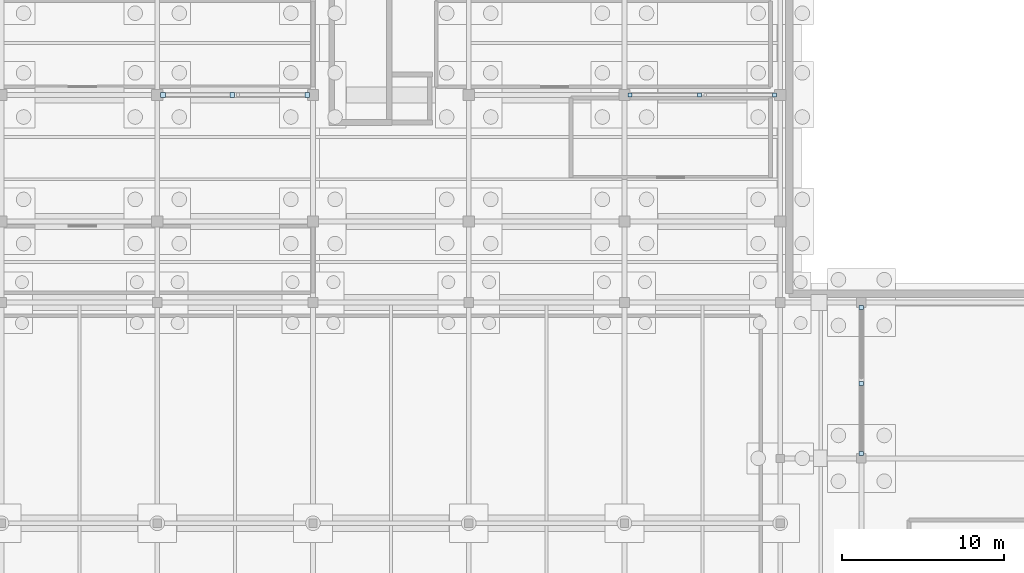
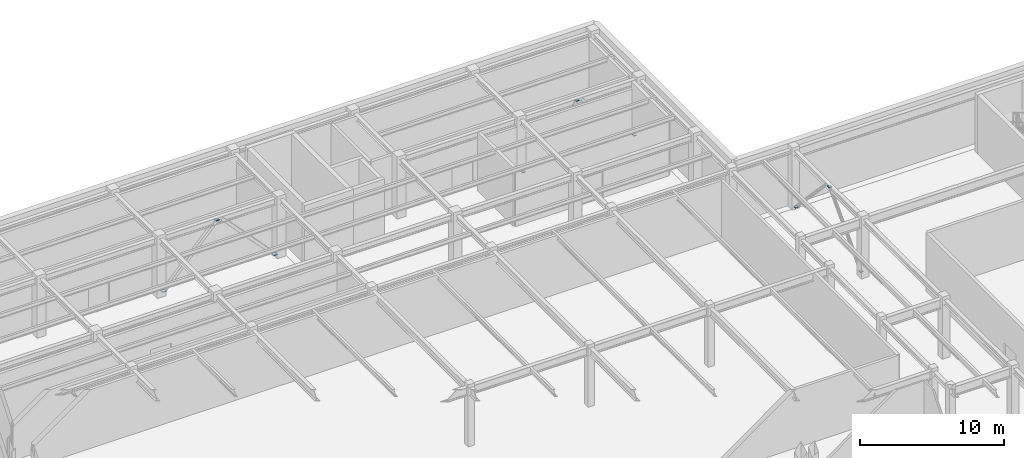
# One storey, part 21 of 33: 9 plates.
"""IFC4 building model written with IfcOpenShell, lengths in metres."""

import ifcopenshell
import ifcopenshell.guid

model = None  # the IFC model being written
_history = None  # IfcOwnerHistory: only IFC2X3 demands one
_inside = {}  # id of a spatial element -> (the spatial element, [elements in it])
_under = {}  # id of a project, library or spatial element -> (it, [spatial elements below it])
_declared = {}  # id of a project -> (the project, [libraries it declares])
_typed = {}  # id of a type object -> (the type object, [elements of that type])
_made_of = {}  # id of a material, layer set ... -> (it, [elements and type objects made of it])


def new_model(schema):
    """Start an empty IFC model of exactly this schema.

    Asked for "IFC4X3", IfcOpenShell would pick the latest addendum, in which some entities
    have other attributes; the version numbers below select the first issue.
    IFC2X3 requires an IfcOwnerHistory on every rooted entity: one is made here for all.
    """
    global model, _history
    if schema == "IFC4X3":
        model = ifcopenshell.file(schema_version=(4, 3, 0, 0))
    else:
        model = ifcopenshell.file(schema=schema)
    _inside.clear()
    _under.clear()
    _declared.clear()
    _typed.clear()
    _made_of.clear()
    _history = None
    if model.schema == "IFC2X3":
        org = make("IfcOrganization", Name="unknown")
        user = make(
            "IfcPersonAndOrganization",
            ThePerson=make("IfcPerson", FamilyName="unknown"),
            TheOrganization=org,
        )
        app = make(
            "IfcApplication",
            ApplicationDeveloper=org,
            Version="unknown",
            ApplicationFullName="unknown",
            ApplicationIdentifier="unknown",
        )
        _history = make(
            "IfcOwnerHistory",
            OwningUser=user,
            OwningApplication=app,
            ChangeAction="ADDED",
            CreationDate=0,
        )
    return model


def make(cls, **values):
    """One entity of the class cls with the attributes given. An attribute that is None is left unset."""
    return model.create_entity(
        cls, **{name: value for name, value in values.items() if value is not None}
    )


def rooted(cls, **values):
    """An entity with a GlobalId (a new one), such as an element, a storey or a relation."""
    return make(cls, GlobalId=ifcopenshell.guid.new(), OwnerHistory=_history, **values)


def si_unit(unit_type, name, prefix=None):
    """IfcSIUnit, for example si_unit("LENGTHUNIT", "METRE", prefix="MILLI")."""
    return make("IfcSIUnit", UnitType=unit_type, Prefix=prefix, Name=name)


def assignment(units):
    """IfcUnitAssignment: the units of a project."""
    return None if units is None else make("IfcUnitAssignment", Units=units)


def point(xyz):
    """IfcCartesianPoint."""
    return None if xyz is None else make("IfcCartesianPoint", Coordinates=xyz)


def direction(xyz):
    """IfcDirection."""
    return None if xyz is None else make("IfcDirection", DirectionRatios=xyz)


def frame(location, z_axis=None, x_axis=None):
    """IfcAxis2Placement3D, a coordinate frame: its origin and axes. An axis left out is left unset."""
    return make(
        "IfcAxis2Placement3D",
        Location=point(location),
        Axis=direction(z_axis),
        RefDirection=direction(x_axis),
    )


def frame_2d(location, x_axis=None):
    """IfcAxis2Placement2D, a coordinate frame in the plane: its origin and x axis."""
    return make(
        "IfcAxis2Placement2D", Location=point(location), RefDirection=direction(x_axis)
    )


def origin():
    """The frame at (0, 0, 0) with its axes left unset."""
    return frame((0.0, 0.0, 0.0))


def origin_2d():
    """The frame at (0, 0) in the plane with its x axis left unset."""
    return frame_2d((0.0, 0.0))


def place(relative_to, where):
    """IfcLocalPlacement: puts the frame where relative to a parent placement (None: the world)."""
    return make(
        "IfcLocalPlacement", PlacementRelTo=relative_to, RelativePlacement=where
    )


def context(
    kind, dimensions, precision=None, world=None, true_north=None, identifier=None
):
    """IfcGeometricRepresentationContext, for example the 3D "Model" context."""
    return make(
        "IfcGeometricRepresentationContext",
        ContextIdentifier=identifier,
        ContextType=kind,
        CoordinateSpaceDimension=dimensions,
        Precision=precision,
        WorldCoordinateSystem=world,
        TrueNorth=true_north,
    )


def subcontext(parent, identifier, kind, view, scale=None):
    """IfcGeometricRepresentationSubContext, for example "Body" below "Model"."""
    return make(
        "IfcGeometricRepresentationSubContext",
        ContextIdentifier=identifier,
        ContextType=kind,
        ParentContext=parent,
        TargetScale=scale,
        TargetView=view,
    )


def project(units=None, contexts=None):
    """IfcProject with its units and contexts."""
    return rooted(
        "IfcProject",
        Name="project",
        RepresentationContexts=contexts,
        UnitsInContext=assignment(units),
    )


def spatial(cls, under=None, at=None, **own):
    """A site, building, storey or space (cls), placed at a placement, below another one or the project."""
    s = rooted(cls, ObjectPlacement=at, **own)
    if under is not None:
        _under.setdefault(under.id(), (under, []))[1].append(s)
    return s


def profile(cls, at=None, kind="AREA", **sizes):
    """A parametric profile (cls). Its sizes go by their IFC names, for example OverallWidth=200.0."""
    return make(cls, ProfileType=kind, Position=at, **sizes)


def rectangle(**sizes):
    """IfcRectangleProfileDef."""
    return profile("IfcRectangleProfileDef", **sizes)


def extrude(swept, where, along, depth):
    """IfcExtrudedAreaSolid: the profile swept, set in the frame where, extruded along a direction by depth."""
    return make(
        "IfcExtrudedAreaSolid",
        SweptArea=swept,
        Position=where,
        ExtrudedDirection=direction(along),
        Depth=depth,
    )


def shape(context_of_items, identifier, shape_type, items):
    """IfcShapeRepresentation: the items that make up one representation, for example the "Body"."""
    return make(
        "IfcShapeRepresentation",
        ContextOfItems=context_of_items,
        RepresentationIdentifier=identifier,
        RepresentationType=shape_type,
        Items=items,
    )


def material(Name=None, Category=None):
    """IfcMaterial."""
    return make("IfcMaterial", Name=Name, Category=Category)


def layer(
    of_material, thickness, ventilated=None, Name=None, Category=None, Priority=None
):
    """IfcMaterialLayer: one layer of a wall or slab, of a material (None: an air gap)."""
    return make(
        "IfcMaterialLayer",
        Material=of_material,
        LayerThickness=thickness,
        IsVentilated=ventilated,
        Name=Name,
        Category=Category,
        Priority=Priority,
    )


def layer_set(layers, Name=None):
    """IfcMaterialLayerSet."""
    return make("IfcMaterialLayerSet", MaterialLayers=layers, LayerSetName=Name)


def made_of(thing, what):
    """Note that an element or type object is made of a material, layer set ...; save() writes the relation."""
    if what is not None:
        _made_of.setdefault(what.id(), (what, []))[1].append(thing)
    return thing


def type_object(cls, material=None, **own):
    """A type object (cls), such as IfcWallType, which elements share."""
    return made_of(rooted(cls, **own), material)


def element(
    cls,
    number,
    at=None,
    inside=None,
    cuts=None,
    type_object=None,
    material=None,
    context=None,
    identifier="Body",
    shape_type=None,
    held_by="IfcProductDefinitionShape",
    body=None,
    shapes=None,
    **own,
):
    """One element of the class cls, such as IfcWall. Its Tag is "e" and its number.

    at: its placement. inside: the storey or other place that contains it. cuts: it is an
    opening in that element (IfcRelVoidsElement). A single representation is given by context,
    identifier, shape_type and body (its items); several are given by shapes. held_by: the class
    of the entity that holds the representations. save() writes the other relations.
    """
    e = rooted(cls, Tag="e%d" % number, ObjectPlacement=at, **own)
    if body is not None:
        shapes = [shape(context, identifier, shape_type, body)]
    if shapes is not None:
        e.Representation = make(held_by, Representations=shapes)
    if inside is not None:
        _inside.setdefault(inside.id(), (inside, []))[1].append(e)
    if cuts is not None:
        rooted(
            "IfcRelVoidsElement", RelatingBuildingElement=cuts, RelatedOpeningElement=e
        )
    if type_object is not None:
        _typed.setdefault(type_object.id(), (type_object, []))[1].append(e)
    return made_of(e, material)


def aggregate(whole, parts):
    """IfcRelAggregates: a whole, such as a stair, and the parts it consists of."""
    return rooted("IfcRelAggregates", RelatingObject=whole, RelatedObjects=parts)


def save(model, path):
    """Write the relations noted so far, then the file.

    IfcRelAggregates (storeys below a building ...), IfcRelContainedInSpatialStructure (elements
    in a storey), IfcRelDefinesByType, IfcRelAssociatesMaterial and IfcRelDeclares: one each for
    every whole, place, type object, material and project.
    """
    for whole, parts in _under.values():
        aggregate(whole, parts)
    for where, things in _inside.values():
        rooted(
            "IfcRelContainedInSpatialStructure",
            RelatedElements=things,
            RelatingStructure=where,
        )
    for kind, things in _typed.values():
        rooted("IfcRelDefinesByType", RelatedObjects=things, RelatingType=kind)
    for what, things in _made_of.values():
        rooted("IfcRelAssociatesMaterial", RelatedObjects=things, RelatingMaterial=what)
    for by, libraries in _declared.values():
        rooted("IfcRelDeclares", RelatingContext=by, RelatedDefinitions=libraries)
    model.write(path)


model = new_model("IFC4")

# Units and contexts
model_context = context("Model", 3, precision=1e-05, world=origin(), true_north=direction((0.0, 1.0)))
body_context = subcontext(model_context, "Body", "Model", "MODEL_VIEW")
ifc_project = project(units=[si_unit("LENGTHUNIT", "METRE"), si_unit("AREAUNIT", "SQUARE_METRE"), si_unit("VOLUMEUNIT", "CUBIC_METRE"), si_unit("PLANEANGLEUNIT", "RADIAN"), si_unit("MASSUNIT", "GRAM", prefix="KILO")], contexts=[model_context])

# Site, building, storey
site_placement = place(None, origin())
site = spatial("IfcSite", under=ifc_project, at=site_placement, CompositionType="ELEMENT")
building_placement = place(site_placement, origin())
building = spatial("IfcBuilding", under=site, at=building_placement, Name="Nordkorset Police Headquarters", CompositionType="ELEMENT")
storey_placement = place(building_placement, frame((0.0, 0.0, -9.800048828125)))
storey = spatial("IfcBuildingStorey", under=building, at=storey_placement, Name="B02", CompositionType="ELEMENT", Elevation=-9.800048828125)

# Plates
ifc_material = material(Name="Steel S355J2", Category="steel")
ifc_layer = layer(ifc_material, 0.02001953125, Name="Steel S355J2")
ifc_layer_set = layer_set([ifc_layer], Name="Steel S355J2")
plate_type = type_object("IfcPlateType", Name="SteelPlate_20mm", PredefinedType="SHEET", material=ifc_layer_set)
for number, where, z_axis, x_axis, name in (
    (1, (48.35009765625, 110.39990234375, 0.18994140625), (0.0, 0.0, 1.0), (1.0, 0.0, 0.0), "Hollow Section End Cap Plate BF-V2-A-B02-D1-0"),
    (2, (52.6201171875, 110.39990234375, 4.739990234375), (0.0, 0.0, 1.0), (1.0, 0.0, 0.0), "Hollow Section End Cap Plate BF-V2-A-B02-D1-1"),
    (3, (57.25, 110.39990234375, 0.18994140625), (0.0, 0.0, 1.0), (1.0, 0.0, 0.0), "Hollow Section End Cap Plate BF-V2-A-B02-D2-0"),
):
    element("IfcPlate", number, at=place(storey_placement, frame(where, z_axis=z_axis, x_axis=x_axis)), inside=storey, type_object=plate_type, Name=name, PredefinedType="SHEET", context=body_context, shape_type="SweptSolid", body=[
        extrude(rectangle(XDim=0.2900390625, YDim=0.2900390625, at=origin_2d()), origin(), (0.0, 0.0, 1.0), 0.02001953125),
    ])
for number, where, z_axis, x_axis, name in (
    (4, (77.14990234375, 110.39990234375, 0.18994140625), (0.0, 0.0, 1.0), (1.0, 0.0, 0.0), "Hollow Section End Cap Plate BF-V2-B-B02-D1-0"),
    (5, (81.419921875, 110.39990234375, 4.739990234375), (0.0, 0.0, 1.0), (1.0, 0.0, 0.0), "Hollow Section End Cap Plate BF-V2-B-B02-D1-1"),
    (6, (86.050048828125, 110.39990234375, 0.18994140625), (0.0, 0.0, 1.0), (1.0, 0.0, 0.0), "Hollow Section End Cap Plate BF-V2-B-B02-D2-0"),
):
    element("IfcPlate", number, at=place(storey_placement, frame(where, z_axis=z_axis, x_axis=x_axis)), inside=storey, type_object=plate_type, Name=name, PredefinedType="SHEET", context=body_context, shape_type="SweptSolid", body=[
        extrude(rectangle(XDim=0.239990234375, YDim=0.239990234375, at=origin_2d()), origin(), (0.0, 0.0, 1.0), 0.02001953125),
    ])
for number, where, z_axis, x_axis, name in (
    (7, (91.39990234375, 88.300048828125, 0.18994140625), (0.0, 0.0, 1.0), (1.0, 0.0, 0.0), "Hollow Section End Cap Plate BF-V5-A-B02-D1-0"),
    (8, (91.39990234375, 92.6201171875, 4.739990234375), (0.0, 0.0, 1.0), (1.0, 0.0, 0.0), "Hollow Section End Cap Plate BF-V5-A-B02-D1-1"),
    (9, (91.39990234375, 97.300048828125, 0.18994140625), (0.0, 0.0, 1.0), (1.0, 0.0, 0.0), "Hollow Section End Cap Plate BF-V5-A-B02-D2-0"),
):
    element("IfcPlate", number, at=place(storey_placement, frame(where, z_axis=z_axis, x_axis=x_axis)), inside=storey, type_object=plate_type, Name=name, PredefinedType="SHEET", context=body_context, shape_type="SweptSolid", body=[
        extrude(rectangle(XDim=0.259033203125, YDim=0.259033203125, at=origin_2d()), origin(), (0.0, 0.0, 1.0), 0.02001953125),
    ])

save(model, "model.ifc")
